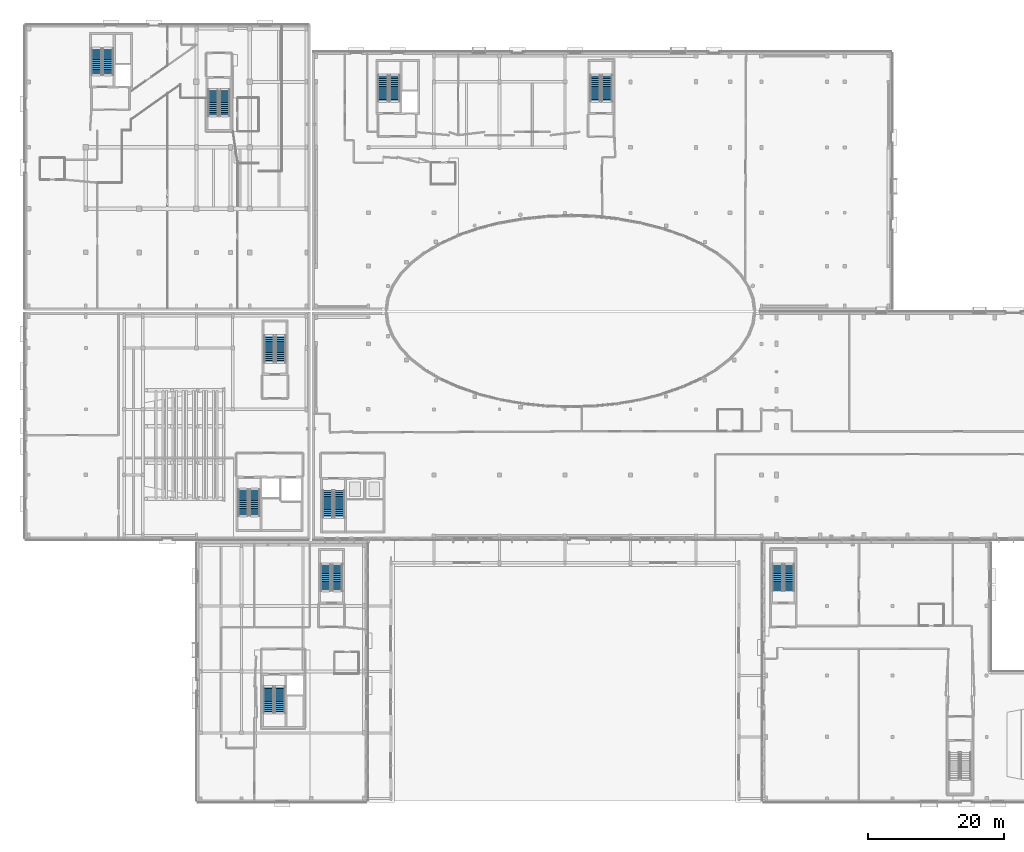
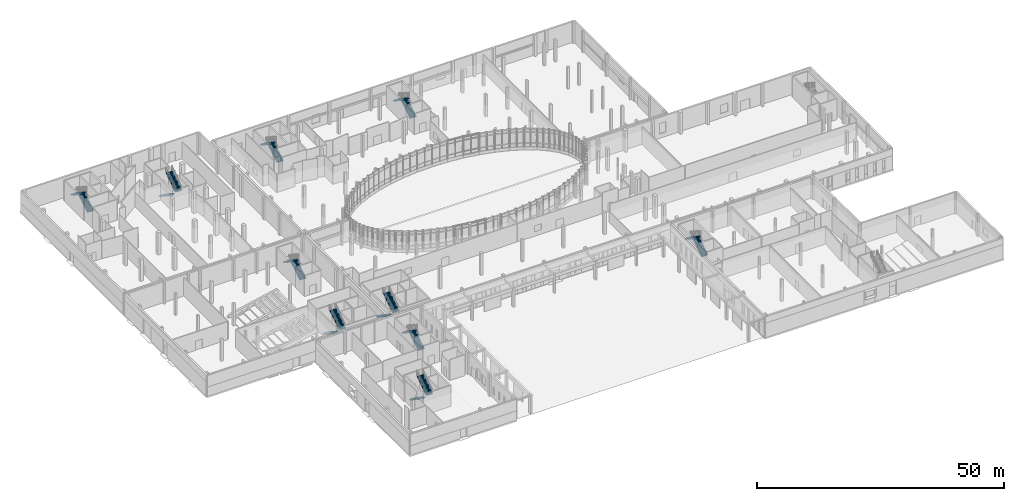
# One storey, part 52 of 84: 20 stair flights, 10 elements without a shape of their own.
"""IFC4 building model written with IfcOpenShell, lengths in metres."""

import ifcopenshell
import ifcopenshell.guid

model = None  # the IFC model being written
_history = None  # IfcOwnerHistory: only IFC2X3 demands one
_inside = {}  # id of a spatial element -> (the spatial element, [elements in it])
_under = {}  # id of a project, library or spatial element -> (it, [spatial elements below it])
_declared = {}  # id of a project -> (the project, [libraries it declares])
_typed = {}  # id of a type object -> (the type object, [elements of that type])
_made_of = {}  # id of a material, layer set ... -> (it, [elements and type objects made of it])


def new_model(schema):
    """Start an empty IFC model of exactly this schema.

    Asked for "IFC4X3", IfcOpenShell would pick the latest addendum, in which some entities
    have other attributes; the version numbers below select the first issue.
    IFC2X3 requires an IfcOwnerHistory on every rooted entity: one is made here for all.
    """
    global model, _history
    if schema == "IFC4X3":
        model = ifcopenshell.file(schema_version=(4, 3, 0, 0))
    else:
        model = ifcopenshell.file(schema=schema)
    _inside.clear()
    _under.clear()
    _declared.clear()
    _typed.clear()
    _made_of.clear()
    _history = None
    if model.schema == "IFC2X3":
        org = make("IfcOrganization", Name="unknown")
        user = make(
            "IfcPersonAndOrganization",
            ThePerson=make("IfcPerson", FamilyName="unknown"),
            TheOrganization=org,
        )
        app = make(
            "IfcApplication",
            ApplicationDeveloper=org,
            Version="unknown",
            ApplicationFullName="unknown",
            ApplicationIdentifier="unknown",
        )
        _history = make(
            "IfcOwnerHistory",
            OwningUser=user,
            OwningApplication=app,
            ChangeAction="ADDED",
            CreationDate=0,
        )
    return model


def make(cls, **values):
    """One entity of the class cls with the attributes given. An attribute that is None is left unset."""
    return model.create_entity(
        cls, **{name: value for name, value in values.items() if value is not None}
    )


def rooted(cls, **values):
    """An entity with a GlobalId (a new one), such as an element, a storey or a relation."""
    return make(cls, GlobalId=ifcopenshell.guid.new(), OwnerHistory=_history, **values)


def si_unit(unit_type, name, prefix=None):
    """IfcSIUnit, for example si_unit("LENGTHUNIT", "METRE", prefix="MILLI")."""
    return make("IfcSIUnit", UnitType=unit_type, Prefix=prefix, Name=name)


def assignment(units):
    """IfcUnitAssignment: the units of a project."""
    return None if units is None else make("IfcUnitAssignment", Units=units)


def point(xyz):
    """IfcCartesianPoint."""
    return None if xyz is None else make("IfcCartesianPoint", Coordinates=xyz)


def direction(xyz):
    """IfcDirection."""
    return None if xyz is None else make("IfcDirection", DirectionRatios=xyz)


def frame(location, z_axis=None, x_axis=None):
    """IfcAxis2Placement3D, a coordinate frame: its origin and axes. An axis left out is left unset."""
    return make(
        "IfcAxis2Placement3D",
        Location=point(location),
        Axis=direction(z_axis),
        RefDirection=direction(x_axis),
    )


def origin():
    """The frame at (0, 0, 0) with its axes left unset."""
    return frame((0.0, 0.0, 0.0))


def place(relative_to, where):
    """IfcLocalPlacement: puts the frame where relative to a parent placement (None: the world)."""
    return make(
        "IfcLocalPlacement", PlacementRelTo=relative_to, RelativePlacement=where
    )


def context(
    kind, dimensions, precision=None, world=None, true_north=None, identifier=None
):
    """IfcGeometricRepresentationContext, for example the 3D "Model" context."""
    return make(
        "IfcGeometricRepresentationContext",
        ContextIdentifier=identifier,
        ContextType=kind,
        CoordinateSpaceDimension=dimensions,
        Precision=precision,
        WorldCoordinateSystem=world,
        TrueNorth=true_north,
    )


def subcontext(parent, identifier, kind, view, scale=None):
    """IfcGeometricRepresentationSubContext, for example "Body" below "Model"."""
    return make(
        "IfcGeometricRepresentationSubContext",
        ContextIdentifier=identifier,
        ContextType=kind,
        ParentContext=parent,
        TargetScale=scale,
        TargetView=view,
    )


def project(units=None, contexts=None):
    """IfcProject with its units and contexts."""
    return rooted(
        "IfcProject",
        Name="project",
        RepresentationContexts=contexts,
        UnitsInContext=assignment(units),
    )


def spatial(cls, under=None, at=None, **own):
    """A site, building, storey or space (cls), placed at a placement, below another one or the project."""
    s = rooted(cls, ObjectPlacement=at, **own)
    if under is not None:
        _under.setdefault(under.id(), (under, []))[1].append(s)
    return s


def polyline(points):
    """IfcPolyline through the points."""
    return make("IfcPolyline", Points=[point(p) for p in points])


def outline(outer, holes=None, kind="AREA"):
    """IfcArbitraryClosedProfileDef: a profile drawn as a closed curve; with holes, ...WithVoids."""
    if holes is None:
        return make("IfcArbitraryClosedProfileDef", ProfileType=kind, OuterCurve=outer)
    return make(
        "IfcArbitraryProfileDefWithVoids",
        ProfileType=kind,
        OuterCurve=outer,
        InnerCurves=holes,
    )


def extrude(swept, where, along, depth):
    """IfcExtrudedAreaSolid: the profile swept, set in the frame where, extruded along a direction by depth."""
    return make(
        "IfcExtrudedAreaSolid",
        SweptArea=swept,
        Position=where,
        ExtrudedDirection=direction(along),
        Depth=depth,
    )


def shape(context_of_items, identifier, shape_type, items):
    """IfcShapeRepresentation: the items that make up one representation, for example the "Body"."""
    return make(
        "IfcShapeRepresentation",
        ContextOfItems=context_of_items,
        RepresentationIdentifier=identifier,
        RepresentationType=shape_type,
        Items=items,
    )


def material(Name=None, Category=None):
    """IfcMaterial."""
    return make("IfcMaterial", Name=Name, Category=Category)


def made_of(thing, what):
    """Note that an element or type object is made of a material, layer set ...; save() writes the relation."""
    if what is not None:
        _made_of.setdefault(what.id(), (what, []))[1].append(thing)
    return thing


def type_object(cls, material=None, **own):
    """A type object (cls), such as IfcWallType, which elements share."""
    return made_of(rooted(cls, **own), material)


def element(
    cls,
    number,
    at=None,
    inside=None,
    cuts=None,
    type_object=None,
    material=None,
    context=None,
    identifier="Body",
    shape_type=None,
    held_by="IfcProductDefinitionShape",
    body=None,
    shapes=None,
    **own,
):
    """One element of the class cls, such as IfcWall. Its Tag is "e" and its number.

    at: its placement. inside: the storey or other place that contains it. cuts: it is an
    opening in that element (IfcRelVoidsElement). A single representation is given by context,
    identifier, shape_type and body (its items); several are given by shapes. held_by: the class
    of the entity that holds the representations. save() writes the other relations.
    """
    e = rooted(cls, Tag="e%d" % number, ObjectPlacement=at, **own)
    if body is not None:
        shapes = [shape(context, identifier, shape_type, body)]
    if shapes is not None:
        e.Representation = make(held_by, Representations=shapes)
    if inside is not None:
        _inside.setdefault(inside.id(), (inside, []))[1].append(e)
    if cuts is not None:
        rooted(
            "IfcRelVoidsElement", RelatingBuildingElement=cuts, RelatedOpeningElement=e
        )
    if type_object is not None:
        _typed.setdefault(type_object.id(), (type_object, []))[1].append(e)
    return made_of(e, material)


def aggregate(whole, parts):
    """IfcRelAggregates: a whole, such as a stair, and the parts it consists of."""
    return rooted("IfcRelAggregates", RelatingObject=whole, RelatedObjects=parts)


def save(model, path):
    """Write the relations noted so far, then the file.

    IfcRelAggregates (storeys below a building ...), IfcRelContainedInSpatialStructure (elements
    in a storey), IfcRelDefinesByType, IfcRelAssociatesMaterial and IfcRelDeclares: one each for
    every whole, place, type object, material and project.
    """
    for whole, parts in _under.values():
        aggregate(whole, parts)
    for where, things in _inside.values():
        rooted(
            "IfcRelContainedInSpatialStructure",
            RelatedElements=things,
            RelatingStructure=where,
        )
    for kind, things in _typed.values():
        rooted("IfcRelDefinesByType", RelatedObjects=things, RelatingType=kind)
    for what, things in _made_of.values():
        rooted("IfcRelAssociatesMaterial", RelatedObjects=things, RelatingMaterial=what)
    for by, libraries in _declared.values():
        rooted("IfcRelDeclares", RelatingContext=by, RelatedDefinitions=libraries)
    model.write(path)


model = new_model("IFC4")

# Units and contexts
model_context = context("Model", 3, precision=1e-05, world=origin(), true_north=direction((0.0, 1.0)))
body_context = subcontext(model_context, "Body", "Model", "MODEL_VIEW")
ifc_project = project(units=[si_unit("LENGTHUNIT", "METRE"), si_unit("AREAUNIT", "SQUARE_METRE"), si_unit("VOLUMEUNIT", "CUBIC_METRE"), si_unit("PLANEANGLEUNIT", "RADIAN"), si_unit("MASSUNIT", "GRAM", prefix="KILO")], contexts=[model_context])

# Site, building, storey
site_placement = place(None, origin())
site = spatial("IfcSite", under=ifc_project, at=site_placement, CompositionType="ELEMENT")
building_placement = place(site_placement, origin())
building = spatial("IfcBuilding", under=site, at=building_placement, Name="Mzevani Central Library", CompositionType="ELEMENT")
storey_placement = place(building_placement, origin())
storey = spatial("IfcBuildingStorey", under=building, at=storey_placement, Name="L00", CompositionType="ELEMENT", Elevation=0.0)

# Stair, stair flights
ifc_material = material(Name="Concrete C35/45", Category="concrete")
stair_type = type_object("IfcStairType", Name="Dogleg Exit Stair 180x280", PredefinedType="HALF_TURN_STAIR", material=ifc_material)
stair_1_placement = place(storey_placement, origin())
stair_1 = element("IfcStair", 1, at=stair_1_placement, inside=storey, type_object=stair_type, Name="L00 Core C1A Reading Hall West Exit Stair ST-01", PredefinedType="HALF_TURN_STAIR")
stair_flight_type = type_object("IfcStairFlightType", Name="Reinforced Concrete Stair Flight 180x280", PredefinedType="STRAIGHT", material=ifc_material)
stair_flight_1_placement = place(storey_placement, frame((48.449951171875, 49.699951171875, 0.0), z_axis=(0.0, 0.0, 1.0), x_axis=(0.0, -1.0, 0.0)))
stair_flight_1 = element("IfcStairFlight", 2, at=stair_flight_1_placement, type_object=stair_flight_type, Name="ST-01 flight 1", NumberOfRisers=15, NumberOfTreads=14, PredefinedType="STRAIGHT", RiserHeight=0.18, TreadLength=0.28, context=body_context, shape_type="SweptSolid", body=[
    extrude(outline(polyline([(0.0, 0.0), (0.0, 0.179931640625), (0.280029296875, 0.179931640625), (0.280029296875, 0.360107421875), (0.56005859375, 0.360107421875), (0.56005859375, 0.5400390625), (0.840087890625, 0.5400390625), (0.840087890625, 0.719970703125), (1.1201171875, 0.719970703125), (1.1201171875, 0.89990234375), (1.39990234375, 0.89990234375), (1.39990234375, 1.080078125), (1.679931640625, 1.080078125), (1.679931640625, 1.260009765625), (1.9599609375, 1.260009765625), (1.9599609375, 1.43994140625), (2.239990234375, 1.43994140625), (2.239990234375, 1.6201171875), (2.52001953125, 1.6201171875), (2.52001953125, 1.800048828125), (2.800048828125, 1.800048828125), (2.800048828125, 1.97998046875), (3.080078125, 1.97998046875), (3.080078125, 2.159912109375), (3.360107421875, 2.159912109375), (3.360107421875, 2.340087890625), (3.639892578125, 2.340087890625), (3.639892578125, 2.52001953125), (3.919921875, 2.52001953125), (3.919921875, 2.699951171875), (3.919921875, 2.329833984375), (0.295654296875, 0.0), (0.0, 0.0)])), frame((0.0, 0.75, 0.0), z_axis=(0.0, -1.0, 0.0), x_axis=(1.0, 0.0, 0.0)), (0.0, 0.0, 1.0), 1.5),
])
stair_flight_2_placement = place(storey_placement, frame((50.14990234375, 45.780029296875, 2.699951171875), z_axis=(0.0, 0.0, 1.0), x_axis=(0.0, 1.0, 0.0)))
stair_flight_2 = element("IfcStairFlight", 3, at=stair_flight_2_placement, type_object=stair_flight_type, Name="ST-01 flight 2", NumberOfRisers=15, NumberOfTreads=14, PredefinedType="STRAIGHT", RiserHeight=0.18, TreadLength=0.28, context=body_context, shape_type="SweptSolid", body=[
    extrude(outline(polyline([(0.0, 0.0), (0.0, 0.179931640625), (0.280029296875, 0.179931640625), (0.280029296875, 0.360107421875), (0.56005859375, 0.360107421875), (0.56005859375, 0.5400390625), (0.840087890625, 0.5400390625), (0.840087890625, 0.719970703125), (1.1201171875, 0.719970703125), (1.1201171875, 0.89990234375), (1.39990234375, 0.89990234375), (1.39990234375, 1.080078125), (1.679931640625, 1.080078125), (1.679931640625, 1.260009765625), (1.9599609375, 1.260009765625), (1.9599609375, 1.43994140625), (2.239990234375, 1.43994140625), (2.239990234375, 1.6201171875), (2.52001953125, 1.6201171875), (2.52001953125, 1.800048828125), (2.800048828125, 1.800048828125), (2.800048828125, 1.97998046875), (3.080078125, 1.97998046875), (3.080078125, 2.159912109375), (3.360107421875, 2.159912109375), (3.360107421875, 2.340087890625), (3.639892578125, 2.340087890625), (3.639892578125, 2.52001953125), (3.919921875, 2.52001953125), (3.919921875, 2.699951171875), (3.919921875, 2.329833984375), (0.295654296875, 0.0), (0.0, 0.0)])), frame((0.0, 0.75, 0.0), z_axis=(0.0, -1.0, 0.0), x_axis=(1.0, 0.0, 0.0)), (0.0, 0.0, 1.0), 1.5),
])
aggregate(stair_1, [stair_flight_1, stair_flight_2])

stair_2_placement = place(storey_placement, origin())
stair_2 = element("IfcStair", 4, at=stair_2_placement, inside=storey, type_object=stair_type, Name="L00 Core C2A North-West Firefighting Core Exit Stair ST-01", PredefinedType="HALF_TURN_STAIR")
stair_flight_3_placement = place(storey_placement, frame((16.25, 110.60009765625, 0.0), z_axis=(0.0, 0.0, 1.0), x_axis=(0.0, 1.0, 0.0)))
stair_flight_3 = element("IfcStairFlight", 5, at=stair_flight_3_placement, type_object=stair_flight_type, Name="ST-03 flight 1", NumberOfRisers=15, NumberOfTreads=14, PredefinedType="STRAIGHT", RiserHeight=0.18, TreadLength=0.28, context=body_context, shape_type="SweptSolid", body=[
    extrude(outline(polyline([(0.0, 0.0), (0.0, 0.179931640625), (0.280029296875, 0.179931640625), (0.280029296875, 0.360107421875), (0.56005859375, 0.360107421875), (0.56005859375, 0.5400390625), (0.840087890625, 0.5400390625), (0.840087890625, 0.719970703125), (1.1201171875, 0.719970703125), (1.1201171875, 0.89990234375), (1.39990234375, 0.89990234375), (1.39990234375, 1.080078125), (1.679931640625, 1.080078125), (1.679931640625, 1.260009765625), (1.9599609375, 1.260009765625), (1.9599609375, 1.43994140625), (2.239990234375, 1.43994140625), (2.239990234375, 1.6201171875), (2.52001953125, 1.6201171875), (2.52001953125, 1.800048828125), (2.800048828125, 1.800048828125), (2.800048828125, 1.97998046875), (3.080078125, 1.97998046875), (3.080078125, 2.159912109375), (3.360107421875, 2.159912109375), (3.360107421875, 2.340087890625), (3.639892578125, 2.340087890625), (3.639892578125, 2.52001953125), (3.919921875, 2.52001953125), (3.919921875, 2.699951171875), (3.919921875, 2.329833984375), (0.295654296875, 0.0), (0.0, 0.0)])), frame((0.0, 0.75, 0.0), z_axis=(0.0, -1.0, 0.0), x_axis=(1.0, 0.0, 0.0)), (0.0, 0.0, 1.0), 1.5),
])
stair_flight_4_placement = place(storey_placement, frame((14.550048828125, 114.52001953125, 2.699951171875), z_axis=(0.0, 0.0, 1.0), x_axis=(0.0, -1.0, 0.0)))
stair_flight_4 = element("IfcStairFlight", 6, at=stair_flight_4_placement, type_object=stair_flight_type, Name="ST-03 flight 2", NumberOfRisers=15, NumberOfTreads=14, PredefinedType="STRAIGHT", RiserHeight=0.18, TreadLength=0.28, context=body_context, shape_type="SweptSolid", body=[
    extrude(outline(polyline([(0.0, 0.0), (0.0, 0.179931640625), (0.280029296875, 0.179931640625), (0.280029296875, 0.360107421875), (0.56005859375, 0.360107421875), (0.56005859375, 0.5400390625), (0.840087890625, 0.5400390625), (0.840087890625, 0.719970703125), (1.1201171875, 0.719970703125), (1.1201171875, 0.89990234375), (1.39990234375, 0.89990234375), (1.39990234375, 1.080078125), (1.679931640625, 1.080078125), (1.679931640625, 1.260009765625), (1.9599609375, 1.260009765625), (1.9599609375, 1.43994140625), (2.239990234375, 1.43994140625), (2.239990234375, 1.6201171875), (2.52001953125, 1.6201171875), (2.52001953125, 1.800048828125), (2.800048828125, 1.800048828125), (2.800048828125, 1.97998046875), (3.080078125, 1.97998046875), (3.080078125, 2.159912109375), (3.360107421875, 2.159912109375), (3.360107421875, 2.340087890625), (3.639892578125, 2.340087890625), (3.639892578125, 2.52001953125), (3.919921875, 2.52001953125), (3.919921875, 2.699951171875), (3.919921875, 2.329833984375), (0.295654296875, 0.0), (0.0, 0.0)])), frame((0.0, 0.75, 0.0), z_axis=(0.0, -1.0, 0.0), x_axis=(1.0, 0.0, 0.0)), (0.0, 0.0, 1.0), 1.5),
])
aggregate(stair_2, [stair_flight_3, stair_flight_4])

stair_3_placement = place(storey_placement, origin())
stair_3 = element("IfcStair", 7, at=stair_3_placement, inside=storey, type_object=stair_type, Name="L00 Core C2B Stacks East Escape Stair Exit Stair ST-01", PredefinedType="HALF_TURN_STAIR")
stair_flight_5_placement = place(storey_placement, frame((31.64990234375, 108.5, 0.0), z_axis=(0.0, 0.0, 1.0), x_axis=(0.0, -1.0, 0.0)))
stair_flight_5 = element("IfcStairFlight", 8, at=stair_flight_5_placement, type_object=stair_flight_type, Name="ST-04 flight 1", NumberOfRisers=15, NumberOfTreads=14, PredefinedType="STRAIGHT", RiserHeight=0.18, TreadLength=0.28, context=body_context, shape_type="SweptSolid", body=[
    extrude(outline(polyline([(0.0, 0.0), (0.0, 0.179931640625), (0.280029296875, 0.179931640625), (0.280029296875, 0.360107421875), (0.56005859375, 0.360107421875), (0.56005859375, 0.5400390625), (0.840087890625, 0.5400390625), (0.840087890625, 0.719970703125), (1.1201171875, 0.719970703125), (1.1201171875, 0.89990234375), (1.39990234375, 0.89990234375), (1.39990234375, 1.080078125), (1.679931640625, 1.080078125), (1.679931640625, 1.260009765625), (1.9599609375, 1.260009765625), (1.9599609375, 1.43994140625), (2.239990234375, 1.43994140625), (2.239990234375, 1.6201171875), (2.52001953125, 1.6201171875), (2.52001953125, 1.800048828125), (2.800048828125, 1.800048828125), (2.800048828125, 1.97998046875), (3.080078125, 1.97998046875), (3.080078125, 2.159912109375), (3.360107421875, 2.159912109375), (3.360107421875, 2.340087890625), (3.639892578125, 2.340087890625), (3.639892578125, 2.52001953125), (3.919921875, 2.52001953125), (3.919921875, 2.699951171875), (3.919921875, 2.329833984375), (0.295654296875, 0.0), (0.0, 0.0)])), frame((0.0, 0.75, 0.0), z_axis=(0.0, -1.0, 0.0), x_axis=(1.0, 0.0, 0.0)), (0.0, 0.0, 1.0), 1.5),
])
stair_flight_6_placement = place(storey_placement, frame((33.35009765625, 104.580078125, 2.699951171875), z_axis=(0.0, 0.0, 1.0), x_axis=(0.0, 1.0, 0.0)))
stair_flight_6 = element("IfcStairFlight", 9, at=stair_flight_6_placement, type_object=stair_flight_type, Name="ST-04 flight 2", NumberOfRisers=15, NumberOfTreads=14, PredefinedType="STRAIGHT", RiserHeight=0.18, TreadLength=0.28, context=body_context, shape_type="SweptSolid", body=[
    extrude(outline(polyline([(0.0, 0.0), (0.0, 0.179931640625), (0.280029296875, 0.179931640625), (0.280029296875, 0.360107421875), (0.56005859375, 0.360107421875), (0.56005859375, 0.5400390625), (0.840087890625, 0.5400390625), (0.840087890625, 0.719970703125), (1.1201171875, 0.719970703125), (1.1201171875, 0.89990234375), (1.39990234375, 0.89990234375), (1.39990234375, 1.080078125), (1.679931640625, 1.080078125), (1.679931640625, 1.260009765625), (1.9599609375, 1.260009765625), (1.9599609375, 1.43994140625), (2.239990234375, 1.43994140625), (2.239990234375, 1.6201171875), (2.52001953125, 1.6201171875), (2.52001953125, 1.800048828125), (2.800048828125, 1.800048828125), (2.800048828125, 1.97998046875), (3.080078125, 1.97998046875), (3.080078125, 2.159912109375), (3.360107421875, 2.159912109375), (3.360107421875, 2.340087890625), (3.639892578125, 2.340087890625), (3.639892578125, 2.52001953125), (3.919921875, 2.52001953125), (3.919921875, 2.699951171875), (3.919921875, 2.329833984375), (0.295654296875, 0.0), (0.0, 0.0)])), frame((0.0, 0.75, 0.0), z_axis=(0.0, -1.0, 0.0), x_axis=(1.0, 0.0, 0.0)), (0.0, 0.0, 1.0), 1.5),
])
aggregate(stair_3, [stair_flight_5, stair_flight_6])

stair_4_placement = place(storey_placement, origin())
stair_4 = element("IfcStair", 10, at=stair_4_placement, inside=storey, type_object=stair_type, Name="L00 Core C3A North-East Firefighting Core Exit Stair ST-01", PredefinedType="HALF_TURN_STAIR")
stair_flight_7_placement = place(storey_placement, frame((58.25, 106.699951171875, 0.0), z_axis=(0.0, 0.0, 1.0), x_axis=(0.0, 1.0, 0.0)))
stair_flight_7 = element("IfcStairFlight", 11, at=stair_flight_7_placement, type_object=stair_flight_type, Name="ST-05 flight 1", NumberOfRisers=15, NumberOfTreads=14, PredefinedType="STRAIGHT", RiserHeight=0.18, TreadLength=0.28, context=body_context, shape_type="SweptSolid", body=[
    extrude(outline(polyline([(0.0, 0.0), (0.0, 0.179931640625), (0.280029296875, 0.179931640625), (0.280029296875, 0.360107421875), (0.56005859375, 0.360107421875), (0.56005859375, 0.5400390625), (0.840087890625, 0.5400390625), (0.840087890625, 0.719970703125), (1.1201171875, 0.719970703125), (1.1201171875, 0.89990234375), (1.39990234375, 0.89990234375), (1.39990234375, 1.080078125), (1.679931640625, 1.080078125), (1.679931640625, 1.260009765625), (1.9599609375, 1.260009765625), (1.9599609375, 1.43994140625), (2.239990234375, 1.43994140625), (2.239990234375, 1.6201171875), (2.52001953125, 1.6201171875), (2.52001953125, 1.800048828125), (2.800048828125, 1.800048828125), (2.800048828125, 1.97998046875), (3.080078125, 1.97998046875), (3.080078125, 2.159912109375), (3.360107421875, 2.159912109375), (3.360107421875, 2.340087890625), (3.639892578125, 2.340087890625), (3.639892578125, 2.52001953125), (3.919921875, 2.52001953125), (3.919921875, 2.699951171875), (3.919921875, 2.329833984375), (0.295654296875, 0.0), (0.0, 0.0)])), frame((0.0, 0.75, 0.0), z_axis=(0.0, -1.0, 0.0), x_axis=(1.0, 0.0, 0.0)), (0.0, 0.0, 1.0), 1.5),
])
stair_flight_8_placement = place(storey_placement, frame((56.550048828125, 110.6201171875, 2.699951171875), z_axis=(0.0, 0.0, 1.0), x_axis=(0.0, -1.0, 0.0)))
stair_flight_8 = element("IfcStairFlight", 12, at=stair_flight_8_placement, type_object=stair_flight_type, Name="ST-05 flight 2", NumberOfRisers=15, NumberOfTreads=14, PredefinedType="STRAIGHT", RiserHeight=0.18, TreadLength=0.28, context=body_context, shape_type="SweptSolid", body=[
    extrude(outline(polyline([(0.0, 0.0), (0.0, 0.179931640625), (0.280029296875, 0.179931640625), (0.280029296875, 0.360107421875), (0.56005859375, 0.360107421875), (0.56005859375, 0.5400390625), (0.840087890625, 0.5400390625), (0.840087890625, 0.719970703125), (1.1201171875, 0.719970703125), (1.1201171875, 0.89990234375), (1.39990234375, 0.89990234375), (1.39990234375, 1.080078125), (1.679931640625, 1.080078125), (1.679931640625, 1.260009765625), (1.9599609375, 1.260009765625), (1.9599609375, 1.43994140625), (2.239990234375, 1.43994140625), (2.239990234375, 1.6201171875), (2.52001953125, 1.6201171875), (2.52001953125, 1.800048828125), (2.800048828125, 1.800048828125), (2.800048828125, 1.97998046875), (3.080078125, 1.97998046875), (3.080078125, 2.159912109375), (3.360107421875, 2.159912109375), (3.360107421875, 2.340087890625), (3.639892578125, 2.340087890625), (3.639892578125, 2.52001953125), (3.919921875, 2.52001953125), (3.919921875, 2.699951171875), (3.919921875, 2.329833984375), (0.295654296875, 0.0), (0.0, 0.0)])), frame((0.0, 0.75, 0.0), z_axis=(0.0, -1.0, 0.0), x_axis=(1.0, 0.0, 0.0)), (0.0, 0.0, 1.0), 1.5),
])
aggregate(stair_4, [stair_flight_7, stair_flight_8])

stair_5_placement = place(storey_placement, origin())
stair_5 = element("IfcStair", 13, at=stair_5_placement, inside=storey, type_object=stair_type, Name="L00 Core C3B Atrium East Escape Stair Exit Stair ST-01", PredefinedType="HALF_TURN_STAIR")
stair_flight_9_placement = place(storey_placement, frame((89.35009765625, 106.699951171875, 0.0), z_axis=(0.0, 0.0, 1.0), x_axis=(0.0, 1.0, 0.0)))
stair_flight_9 = element("IfcStairFlight", 14, at=stair_flight_9_placement, type_object=stair_flight_type, Name="ST-06 flight 1", NumberOfRisers=15, NumberOfTreads=14, PredefinedType="STRAIGHT", RiserHeight=0.18, TreadLength=0.28, context=body_context, shape_type="SweptSolid", body=[
    extrude(outline(polyline([(0.0, 0.0), (0.0, 0.179931640625), (0.280029296875, 0.179931640625), (0.280029296875, 0.360107421875), (0.56005859375, 0.360107421875), (0.56005859375, 0.5400390625), (0.840087890625, 0.5400390625), (0.840087890625, 0.719970703125), (1.1201171875, 0.719970703125), (1.1201171875, 0.89990234375), (1.39990234375, 0.89990234375), (1.39990234375, 1.080078125), (1.679931640625, 1.080078125), (1.679931640625, 1.260009765625), (1.9599609375, 1.260009765625), (1.9599609375, 1.43994140625), (2.239990234375, 1.43994140625), (2.239990234375, 1.6201171875), (2.52001953125, 1.6201171875), (2.52001953125, 1.800048828125), (2.800048828125, 1.800048828125), (2.800048828125, 1.97998046875), (3.080078125, 1.97998046875), (3.080078125, 2.159912109375), (3.360107421875, 2.159912109375), (3.360107421875, 2.340087890625), (3.639892578125, 2.340087890625), (3.639892578125, 2.52001953125), (3.919921875, 2.52001953125), (3.919921875, 2.699951171875), (3.919921875, 2.329833984375), (0.295654296875, 0.0), (0.0, 0.0)])), frame((0.0, 0.75, 0.0), z_axis=(0.0, -1.0, 0.0), x_axis=(1.0, 0.0, 0.0)), (0.0, 0.0, 1.0), 1.5),
])
stair_flight_10_placement = place(storey_placement, frame((87.64990234375, 110.6201171875, 2.699951171875), z_axis=(0.0, 0.0, 1.0), x_axis=(0.0, -1.0, 0.0)))
stair_flight_10 = element("IfcStairFlight", 15, at=stair_flight_10_placement, type_object=stair_flight_type, Name="ST-06 flight 2", NumberOfRisers=15, NumberOfTreads=14, PredefinedType="STRAIGHT", RiserHeight=0.18, TreadLength=0.28, context=body_context, shape_type="SweptSolid", body=[
    extrude(outline(polyline([(0.0, 0.0), (0.0, 0.179931640625), (0.280029296875, 0.179931640625), (0.280029296875, 0.360107421875), (0.56005859375, 0.360107421875), (0.56005859375, 0.5400390625), (0.840087890625, 0.5400390625), (0.840087890625, 0.719970703125), (1.1201171875, 0.719970703125), (1.1201171875, 0.89990234375), (1.39990234375, 0.89990234375), (1.39990234375, 1.080078125), (1.679931640625, 1.080078125), (1.679931640625, 1.260009765625), (1.9599609375, 1.260009765625), (1.9599609375, 1.43994140625), (2.239990234375, 1.43994140625), (2.239990234375, 1.6201171875), (2.52001953125, 1.6201171875), (2.52001953125, 1.800048828125), (2.800048828125, 1.800048828125), (2.800048828125, 1.97998046875), (3.080078125, 1.97998046875), (3.080078125, 2.159912109375), (3.360107421875, 2.159912109375), (3.360107421875, 2.340087890625), (3.639892578125, 2.340087890625), (3.639892578125, 2.52001953125), (3.919921875, 2.52001953125), (3.919921875, 2.699951171875), (3.919921875, 2.329833984375), (0.295654296875, 0.0), (0.0, 0.0)])), frame((0.0, 0.75, 0.0), z_axis=(0.0, -1.0, 0.0), x_axis=(1.0, 0.0, 0.0)), (0.0, 0.0, 1.0), 1.5),
])
aggregate(stair_5, [stair_flight_9, stair_flight_10])

stair_6_placement = place(storey_placement, origin())
stair_6 = element("IfcStair", 16, at=stair_6_placement, inside=storey, type_object=stair_type, Name="L00 Core C4A Cultural Wing Core Exit Stair ST-01", PredefinedType="HALF_TURN_STAIR")
stair_flight_11_placement = place(storey_placement, frame((39.75, 21.0, 0.0), z_axis=(0.0, 0.0, 1.0), x_axis=(0.0, -1.0, 0.0)))
stair_flight_11 = element("IfcStairFlight", 17, at=stair_flight_11_placement, type_object=stair_flight_type, Name="ST-07 flight 1", NumberOfRisers=15, NumberOfTreads=14, PredefinedType="STRAIGHT", RiserHeight=0.18, TreadLength=0.28, context=body_context, shape_type="SweptSolid", body=[
    extrude(outline(polyline([(0.0, 0.0), (0.0, 0.179931640625), (0.280029296875, 0.179931640625), (0.280029296875, 0.360107421875), (0.56005859375, 0.360107421875), (0.56005859375, 0.5400390625), (0.840087890625, 0.5400390625), (0.840087890625, 0.719970703125), (1.1201171875, 0.719970703125), (1.1201171875, 0.89990234375), (1.39990234375, 0.89990234375), (1.39990234375, 1.080078125), (1.679931640625, 1.080078125), (1.679931640625, 1.260009765625), (1.9599609375, 1.260009765625), (1.9599609375, 1.43994140625), (2.239990234375, 1.43994140625), (2.239990234375, 1.6201171875), (2.52001953125, 1.6201171875), (2.52001953125, 1.800048828125), (2.800048828125, 1.800048828125), (2.800048828125, 1.97998046875), (3.080078125, 1.97998046875), (3.080078125, 2.159912109375), (3.360107421875, 2.159912109375), (3.360107421875, 2.340087890625), (3.639892578125, 2.340087890625), (3.639892578125, 2.52001953125), (3.919921875, 2.52001953125), (3.919921875, 2.699951171875), (3.919921875, 2.329833984375), (0.295654296875, 0.0), (0.0, 0.0)])), frame((0.0, 0.75, 0.0), z_axis=(0.0, -1.0, 0.0), x_axis=(1.0, 0.0, 0.0)), (0.0, 0.0, 1.0), 1.5),
])
stair_flight_12_placement = place(storey_placement, frame((41.449951171875, 17.080078125, 2.699951171875), z_axis=(0.0, 0.0, 1.0), x_axis=(0.0, 1.0, 0.0)))
stair_flight_12 = element("IfcStairFlight", 18, at=stair_flight_12_placement, type_object=stair_flight_type, Name="ST-07 flight 2", NumberOfRisers=15, NumberOfTreads=14, PredefinedType="STRAIGHT", RiserHeight=0.18, TreadLength=0.28, context=body_context, shape_type="SweptSolid", body=[
    extrude(outline(polyline([(0.0, 0.0), (0.0, 0.179931640625), (0.280029296875, 0.179931640625), (0.280029296875, 0.360107421875), (0.56005859375, 0.360107421875), (0.56005859375, 0.5400390625), (0.840087890625, 0.5400390625), (0.840087890625, 0.719970703125), (1.1201171875, 0.719970703125), (1.1201171875, 0.89990234375), (1.39990234375, 0.89990234375), (1.39990234375, 1.080078125), (1.679931640625, 1.080078125), (1.679931640625, 1.260009765625), (1.9599609375, 1.260009765625), (1.9599609375, 1.43994140625), (2.239990234375, 1.43994140625), (2.239990234375, 1.6201171875), (2.52001953125, 1.6201171875), (2.52001953125, 1.800048828125), (2.800048828125, 1.800048828125), (2.800048828125, 1.97998046875), (3.080078125, 1.97998046875), (3.080078125, 2.159912109375), (3.360107421875, 2.159912109375), (3.360107421875, 2.340087890625), (3.639892578125, 2.340087890625), (3.639892578125, 2.52001953125), (3.919921875, 2.52001953125), (3.919921875, 2.699951171875), (3.919921875, 2.329833984375), (0.295654296875, 0.0), (0.0, 0.0)])), frame((0.0, 0.75, 0.0), z_axis=(0.0, -1.0, 0.0), x_axis=(1.0, 0.0, 0.0)), (0.0, 0.0, 1.0), 1.5),
])
aggregate(stair_6, [stair_flight_11, stair_flight_12])

stair_7_placement = place(storey_placement, origin())
stair_7 = element("IfcStair", 19, at=stair_7_placement, inside=storey, type_object=stair_type, Name="L00 Core C4B Square South Escape Stair Exit Stair ST-01", PredefinedType="HALF_TURN_STAIR")
stair_flight_13_placement = place(storey_placement, frame((49.85009765625, 35.0, 0.0), z_axis=(0.0, 0.0, 1.0), x_axis=(0.0, 1.0, 0.0)))
stair_flight_13 = element("IfcStairFlight", 20, at=stair_flight_13_placement, type_object=stair_flight_type, Name="ST-08 flight 1", NumberOfRisers=15, NumberOfTreads=14, PredefinedType="STRAIGHT", RiserHeight=0.18, TreadLength=0.28, context=body_context, shape_type="SweptSolid", body=[
    extrude(outline(polyline([(0.0, 0.0), (0.0, 0.179931640625), (0.280029296875, 0.179931640625), (0.280029296875, 0.360107421875), (0.56005859375, 0.360107421875), (0.56005859375, 0.5400390625), (0.840087890625, 0.5400390625), (0.840087890625, 0.719970703125), (1.1201171875, 0.719970703125), (1.1201171875, 0.89990234375), (1.39990234375, 0.89990234375), (1.39990234375, 1.080078125), (1.679931640625, 1.080078125), (1.679931640625, 1.260009765625), (1.9599609375, 1.260009765625), (1.9599609375, 1.43994140625), (2.239990234375, 1.43994140625), (2.239990234375, 1.6201171875), (2.52001953125, 1.6201171875), (2.52001953125, 1.800048828125), (2.800048828125, 1.800048828125), (2.800048828125, 1.97998046875), (3.080078125, 1.97998046875), (3.080078125, 2.159912109375), (3.360107421875, 2.159912109375), (3.360107421875, 2.340087890625), (3.639892578125, 2.340087890625), (3.639892578125, 2.52001953125), (3.919921875, 2.52001953125), (3.919921875, 2.699951171875), (3.919921875, 2.329833984375), (0.295654296875, 0.0), (0.0, 0.0)])), frame((0.0, 0.75, 0.0), z_axis=(0.0, -1.0, 0.0), x_axis=(1.0, 0.0, 0.0)), (0.0, 0.0, 1.0), 1.5),
])
stair_flight_14_placement = place(storey_placement, frame((48.14990234375, 38.919921875, 2.699951171875), z_axis=(0.0, 0.0, 1.0), x_axis=(0.0, -1.0, 0.0)))
stair_flight_14 = element("IfcStairFlight", 21, at=stair_flight_14_placement, type_object=stair_flight_type, Name="ST-08 flight 2", NumberOfRisers=15, NumberOfTreads=14, PredefinedType="STRAIGHT", RiserHeight=0.18, TreadLength=0.28, context=body_context, shape_type="SweptSolid", body=[
    extrude(outline(polyline([(0.0, 0.0), (0.0, 0.179931640625), (0.280029296875, 0.179931640625), (0.280029296875, 0.360107421875), (0.56005859375, 0.360107421875), (0.56005859375, 0.5400390625), (0.840087890625, 0.5400390625), (0.840087890625, 0.719970703125), (1.1201171875, 0.719970703125), (1.1201171875, 0.89990234375), (1.39990234375, 0.89990234375), (1.39990234375, 1.080078125), (1.679931640625, 1.080078125), (1.679931640625, 1.260009765625), (1.9599609375, 1.260009765625), (1.9599609375, 1.43994140625), (2.239990234375, 1.43994140625), (2.239990234375, 1.6201171875), (2.52001953125, 1.6201171875), (2.52001953125, 1.800048828125), (2.800048828125, 1.800048828125), (2.800048828125, 1.97998046875), (3.080078125, 1.97998046875), (3.080078125, 2.159912109375), (3.360107421875, 2.159912109375), (3.360107421875, 2.340087890625), (3.639892578125, 2.340087890625), (3.639892578125, 2.52001953125), (3.919921875, 2.52001953125), (3.919921875, 2.699951171875), (3.919921875, 2.329833984375), (0.295654296875, 0.0), (0.0, 0.0)])), frame((0.0, 0.75, 0.0), z_axis=(0.0, -1.0, 0.0), x_axis=(1.0, 0.0, 0.0)), (0.0, 0.0, 1.0), 1.5),
])
aggregate(stair_7, [stair_flight_13, stair_flight_14])

stair_8_placement = place(storey_placement, origin())
stair_8 = element("IfcStair", 22, at=stair_8_placement, inside=storey, type_object=stair_type, Name="L00 Core C5A Auditorium & Goods Core Exit Stair ST-01", PredefinedType="HALF_TURN_STAIR")
stair_flight_15_placement = place(storey_placement, frame((36.050048828125, 49.89990234375, 0.0), z_axis=(0.0, 0.0, 1.0), x_axis=(0.0, -1.0, 0.0)))
stair_flight_15 = element("IfcStairFlight", 23, at=stair_flight_15_placement, type_object=stair_flight_type, Name="ST-09 flight 1", NumberOfRisers=15, NumberOfTreads=14, PredefinedType="STRAIGHT", RiserHeight=0.18, TreadLength=0.28, context=body_context, shape_type="SweptSolid", body=[
    extrude(outline(polyline([(0.0, 0.0), (0.0, 0.179931640625), (0.280029296875, 0.179931640625), (0.280029296875, 0.360107421875), (0.56005859375, 0.360107421875), (0.56005859375, 0.5400390625), (0.840087890625, 0.5400390625), (0.840087890625, 0.719970703125), (1.1201171875, 0.719970703125), (1.1201171875, 0.89990234375), (1.39990234375, 0.89990234375), (1.39990234375, 1.080078125), (1.679931640625, 1.080078125), (1.679931640625, 1.260009765625), (1.9599609375, 1.260009765625), (1.9599609375, 1.43994140625), (2.239990234375, 1.43994140625), (2.239990234375, 1.6201171875), (2.52001953125, 1.6201171875), (2.52001953125, 1.800048828125), (2.800048828125, 1.800048828125), (2.800048828125, 1.97998046875), (3.080078125, 1.97998046875), (3.080078125, 2.159912109375), (3.360107421875, 2.159912109375), (3.360107421875, 2.340087890625), (3.639892578125, 2.340087890625), (3.639892578125, 2.52001953125), (3.919921875, 2.52001953125), (3.919921875, 2.699951171875), (3.919921875, 2.329833984375), (0.295654296875, 0.0), (0.0, 0.0)])), frame((0.0, 0.75, 0.0), z_axis=(0.0, -1.0, 0.0), x_axis=(1.0, 0.0, 0.0)), (0.0, 0.0, 1.0), 1.5),
])
stair_flight_16_placement = place(storey_placement, frame((37.75, 45.97998046875, 2.699951171875), z_axis=(0.0, 0.0, 1.0), x_axis=(0.0, 1.0, 0.0)))
stair_flight_16 = element("IfcStairFlight", 24, at=stair_flight_16_placement, type_object=stair_flight_type, Name="ST-09 flight 2", NumberOfRisers=15, NumberOfTreads=14, PredefinedType="STRAIGHT", RiserHeight=0.18, TreadLength=0.28, context=body_context, shape_type="SweptSolid", body=[
    extrude(outline(polyline([(0.0, 0.0), (0.0, 0.179931640625), (0.280029296875, 0.179931640625), (0.280029296875, 0.360107421875), (0.56005859375, 0.360107421875), (0.56005859375, 0.5400390625), (0.840087890625, 0.5400390625), (0.840087890625, 0.719970703125), (1.1201171875, 0.719970703125), (1.1201171875, 0.89990234375), (1.39990234375, 0.89990234375), (1.39990234375, 1.080078125), (1.679931640625, 1.080078125), (1.679931640625, 1.260009765625), (1.9599609375, 1.260009765625), (1.9599609375, 1.43994140625), (2.239990234375, 1.43994140625), (2.239990234375, 1.6201171875), (2.52001953125, 1.6201171875), (2.52001953125, 1.800048828125), (2.800048828125, 1.800048828125), (2.800048828125, 1.97998046875), (3.080078125, 1.97998046875), (3.080078125, 2.159912109375), (3.360107421875, 2.159912109375), (3.360107421875, 2.340087890625), (3.639892578125, 2.340087890625), (3.639892578125, 2.52001953125), (3.919921875, 2.52001953125), (3.919921875, 2.699951171875), (3.919921875, 2.329833984375), (0.295654296875, 0.0), (0.0, 0.0)])), frame((0.0, 0.75, 0.0), z_axis=(0.0, -1.0, 0.0), x_axis=(1.0, 0.0, 0.0)), (0.0, 0.0, 1.0), 1.5),
])
aggregate(stair_8, [stair_flight_15, stair_flight_16])

stair_9_placement = place(storey_placement, origin())
stair_9 = element("IfcStair", 25, at=stair_9_placement, inside=storey, type_object=stair_type, Name="L00 Core C5B Lecture North Escape Stair Exit Stair ST-01", PredefinedType="HALF_TURN_STAIR")
stair_flight_17_placement = place(storey_placement, frame((41.550048828125, 68.5, 0.0), z_axis=(0.0, 0.0, 1.0), x_axis=(0.0, 1.0, 0.0)))
stair_flight_17 = element("IfcStairFlight", 26, at=stair_flight_17_placement, type_object=stair_flight_type, Name="ST-10 flight 1", NumberOfRisers=15, NumberOfTreads=14, PredefinedType="STRAIGHT", RiserHeight=0.18, TreadLength=0.28, context=body_context, shape_type="SweptSolid", body=[
    extrude(outline(polyline([(0.0, 0.0), (0.0, 0.179931640625), (0.280029296875, 0.179931640625), (0.280029296875, 0.360107421875), (0.56005859375, 0.360107421875), (0.56005859375, 0.5400390625), (0.840087890625, 0.5400390625), (0.840087890625, 0.719970703125), (1.1201171875, 0.719970703125), (1.1201171875, 0.89990234375), (1.39990234375, 0.89990234375), (1.39990234375, 1.080078125), (1.679931640625, 1.080078125), (1.679931640625, 1.260009765625), (1.9599609375, 1.260009765625), (1.9599609375, 1.43994140625), (2.239990234375, 1.43994140625), (2.239990234375, 1.6201171875), (2.52001953125, 1.6201171875), (2.52001953125, 1.800048828125), (2.800048828125, 1.800048828125), (2.800048828125, 1.97998046875), (3.080078125, 1.97998046875), (3.080078125, 2.159912109375), (3.360107421875, 2.159912109375), (3.360107421875, 2.340087890625), (3.639892578125, 2.340087890625), (3.639892578125, 2.52001953125), (3.919921875, 2.52001953125), (3.919921875, 2.699951171875), (3.919921875, 2.329833984375), (0.295654296875, 0.0), (0.0, 0.0)])), frame((0.0, 0.75, 0.0), z_axis=(0.0, -1.0, 0.0), x_axis=(1.0, 0.0, 0.0)), (0.0, 0.0, 1.0), 1.5),
])
stair_flight_18_placement = place(storey_placement, frame((39.85009765625, 72.419921875, 2.699951171875), z_axis=(0.0, 0.0, 1.0), x_axis=(0.0, -1.0, 0.0)))
stair_flight_18 = element("IfcStairFlight", 27, at=stair_flight_18_placement, type_object=stair_flight_type, Name="ST-10 flight 2", NumberOfRisers=15, NumberOfTreads=14, PredefinedType="STRAIGHT", RiserHeight=0.18, TreadLength=0.28, context=body_context, shape_type="SweptSolid", body=[
    extrude(outline(polyline([(0.0, 0.0), (0.0, 0.179931640625), (0.280029296875, 0.179931640625), (0.280029296875, 0.360107421875), (0.56005859375, 0.360107421875), (0.56005859375, 0.5400390625), (0.840087890625, 0.5400390625), (0.840087890625, 0.719970703125), (1.1201171875, 0.719970703125), (1.1201171875, 0.89990234375), (1.39990234375, 0.89990234375), (1.39990234375, 1.080078125), (1.679931640625, 1.080078125), (1.679931640625, 1.260009765625), (1.9599609375, 1.260009765625), (1.9599609375, 1.43994140625), (2.239990234375, 1.43994140625), (2.239990234375, 1.6201171875), (2.52001953125, 1.6201171875), (2.52001953125, 1.800048828125), (2.800048828125, 1.800048828125), (2.800048828125, 1.97998046875), (3.080078125, 1.97998046875), (3.080078125, 2.159912109375), (3.360107421875, 2.159912109375), (3.360107421875, 2.340087890625), (3.639892578125, 2.340087890625), (3.639892578125, 2.52001953125), (3.919921875, 2.52001953125), (3.919921875, 2.699951171875), (3.919921875, 2.329833984375), (0.295654296875, 0.0), (0.0, 0.0)])), frame((0.0, 0.75, 0.0), z_axis=(0.0, -1.0, 0.0), x_axis=(1.0, 0.0, 0.0)), (0.0, 0.0, 1.0), 1.5),
])
aggregate(stair_9, [stair_flight_17, stair_flight_18])

stair_10_placement = place(storey_placement, origin())
stair_10 = element("IfcStair", 28, at=stair_10_placement, inside=storey, type_object=stair_type, Name="L00 Core C6A Children's Pavilion North Stair Exit Stair ST-01", PredefinedType="HALF_TURN_STAIR")
stair_flight_19_placement = place(storey_placement, frame((116.050048828125, 35.0, 0.0), z_axis=(0.0, 0.0, 1.0), x_axis=(0.0, 1.0, 0.0)))
stair_flight_19 = element("IfcStairFlight", 29, at=stair_flight_19_placement, type_object=stair_flight_type, Name="ST-11 flight 1", NumberOfRisers=15, NumberOfTreads=14, PredefinedType="STRAIGHT", RiserHeight=0.18, TreadLength=0.28, context=body_context, shape_type="SweptSolid", body=[
    extrude(outline(polyline([(0.0, 0.0), (0.0, 0.179931640625), (0.280029296875, 0.179931640625), (0.280029296875, 0.360107421875), (0.56005859375, 0.360107421875), (0.56005859375, 0.5400390625), (0.840087890625, 0.5400390625), (0.840087890625, 0.719970703125), (1.1201171875, 0.719970703125), (1.1201171875, 0.89990234375), (1.39990234375, 0.89990234375), (1.39990234375, 1.080078125), (1.679931640625, 1.080078125), (1.679931640625, 1.260009765625), (1.9599609375, 1.260009765625), (1.9599609375, 1.43994140625), (2.239990234375, 1.43994140625), (2.239990234375, 1.6201171875), (2.52001953125, 1.6201171875), (2.52001953125, 1.800048828125), (2.800048828125, 1.800048828125), (2.800048828125, 1.97998046875), (3.080078125, 1.97998046875), (3.080078125, 2.159912109375), (3.360107421875, 2.159912109375), (3.360107421875, 2.340087890625), (3.639892578125, 2.340087890625), (3.639892578125, 2.52001953125), (3.919921875, 2.52001953125), (3.919921875, 2.699951171875), (3.919921875, 2.329833984375), (0.295654296875, 0.0), (0.0, 0.0)])), frame((0.0, 0.75, 0.0), z_axis=(0.0, -1.0, 0.0), x_axis=(1.0, 0.0, 0.0)), (0.0, 0.0, 1.0), 1.5),
])
stair_flight_20_placement = place(storey_placement, frame((114.35009765625, 38.919921875, 2.699951171875), z_axis=(0.0, 0.0, 1.0), x_axis=(0.0, -1.0, 0.0)))
stair_flight_20 = element("IfcStairFlight", 30, at=stair_flight_20_placement, type_object=stair_flight_type, Name="ST-11 flight 2", NumberOfRisers=15, NumberOfTreads=14, PredefinedType="STRAIGHT", RiserHeight=0.18, TreadLength=0.28, context=body_context, shape_type="SweptSolid", body=[
    extrude(outline(polyline([(0.0, 0.0), (0.0, 0.179931640625), (0.280029296875, 0.179931640625), (0.280029296875, 0.360107421875), (0.56005859375, 0.360107421875), (0.56005859375, 0.5400390625), (0.840087890625, 0.5400390625), (0.840087890625, 0.719970703125), (1.1201171875, 0.719970703125), (1.1201171875, 0.89990234375), (1.39990234375, 0.89990234375), (1.39990234375, 1.080078125), (1.679931640625, 1.080078125), (1.679931640625, 1.260009765625), (1.9599609375, 1.260009765625), (1.9599609375, 1.43994140625), (2.239990234375, 1.43994140625), (2.239990234375, 1.6201171875), (2.52001953125, 1.6201171875), (2.52001953125, 1.800048828125), (2.800048828125, 1.800048828125), (2.800048828125, 1.97998046875), (3.080078125, 1.97998046875), (3.080078125, 2.159912109375), (3.360107421875, 2.159912109375), (3.360107421875, 2.340087890625), (3.639892578125, 2.340087890625), (3.639892578125, 2.52001953125), (3.919921875, 2.52001953125), (3.919921875, 2.699951171875), (3.919921875, 2.329833984375), (0.295654296875, 0.0), (0.0, 0.0)])), frame((0.0, 0.75, 0.0), z_axis=(0.0, -1.0, 0.0), x_axis=(1.0, 0.0, 0.0)), (0.0, 0.0, 1.0), 1.5),
])
aggregate(stair_10, [stair_flight_19, stair_flight_20])

save(model, "model.ifc")
